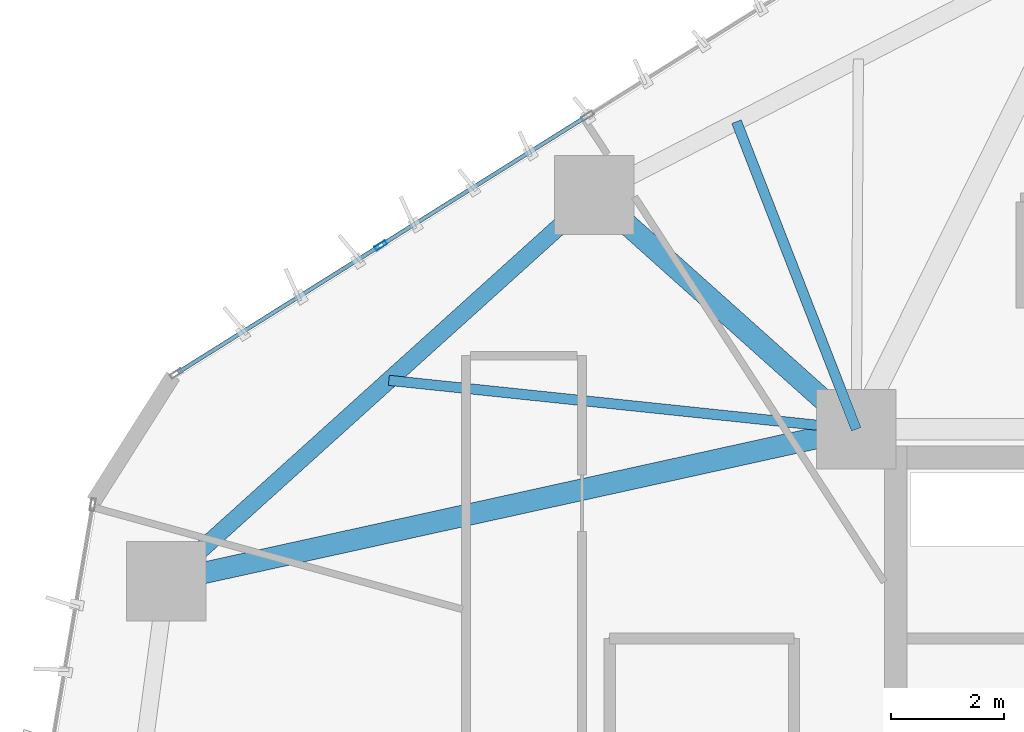
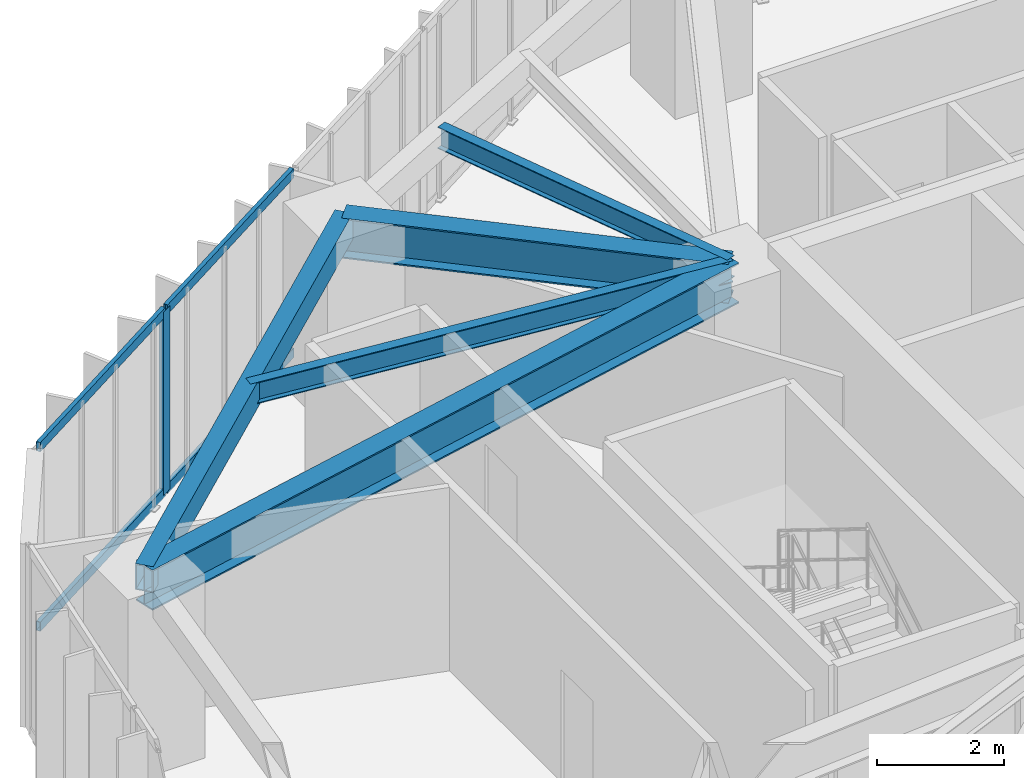
# One storey, part 7 of 22: 5 beams, 5 members, 1 element without a shape of its own.
"""IFC4 building model written with IfcOpenShell, lengths in metres."""

from ifc_helpers import new_model, si_unit, direction, frame, origin, origin_2d, place, context, subcontext, project, spatial, hollow_rectangle, i_section, extrude, source, transform, mapped, material, layer, layer_set, material_profile, profile_set, type_object, type_shapes, element, aggregate, save


model = new_model("IFC4")

# Units and contexts
model_context = context("Model", 3, precision=1e-05, world=origin(), true_north=direction((0.0, 1.0)))
body_context = subcontext(model_context, "Body", "Model", "MODEL_VIEW")
ifc_project = project(units=[si_unit("LENGTHUNIT", "METRE"), si_unit("AREAUNIT", "SQUARE_METRE"), si_unit("VOLUMEUNIT", "CUBIC_METRE"), si_unit("PLANEANGLEUNIT", "RADIAN"), si_unit("MASSUNIT", "GRAM", prefix="KILO")], contexts=[model_context])

# Site, building, storey
site_placement = place(None, origin())
site = spatial("IfcSite", under=ifc_project, at=site_placement, CompositionType="ELEMENT")
building_placement = place(site_placement, origin())
building = spatial("IfcBuilding", under=site, at=building_placement, Name="Talar Marvaseh", CompositionType="ELEMENT")
storey_placement = place(building_placement, frame((0.0, 0.0, 54.39990234375)))
storey = spatial("IfcBuildingStorey", under=building, at=storey_placement, Name="L13", CompositionType="ELEMENT", Elevation=54.39990234375)

# Beams
ifc_material_1 = material(Name="Steel S355", Category="steel")
ifc_material_profile_1 = material_profile(ifc_material_1, hollow_rectangle(XDim=0.300048828125, YDim=0.5, WallThickness=0.02001953125, at=origin_2d()), Name="RHS500x300x20")
ifc_profile_set_1 = profile_set([ifc_material_profile_1], Name="Steel S355")
beam_type_1 = type_object("IfcBeamType", Name="Zone 1 Perimeter Spandrel Beam RHS500x300x20", PredefinedType="SPANDREL", material=ifc_profile_set_1)
beam_1_placement = place(storey_placement, frame((6.501953125, 34.214111328125, 3.27001953125), z_axis=(0.742394279812, 0.669963232799, 0.0), x_axis=(-0.669963232799, 0.742394279812, 0.0)))
element("IfcBeam", 1, at=beam_1_placement, inside=storey, type_object=beam_type_1, Name="L13 Zone 1 Perimeter Spandrel Beam RHS500x300x20", PredefinedType="SPANDREL", context=body_context, shape_type="SweptSolid", body=[
    extrude(hollow_rectangle(XDim=0.300048828125, YDim=0.5, WallThickness=0.02001953125, at=origin_2d()), origin(), (0.0, 0.0, 1.0), 10.19287109375),
])
ifc_material_profile_2 = material_profile(ifc_material_1, i_section(OverallWidth=0.381103515625, OverallDepth=0.77294921875, WebThickness=0.0166015625, FlangeThickness=0.027099609375, at=origin_2d()), Name="W760x257")
ifc_profile_set_2 = profile_set([ifc_material_profile_2], Name="Steel S355")
beam_type_2 = type_object("IfcBeamType", Name="Zone 1 Radial Floor Girder W760x257", PredefinedType="BEAM", material=ifc_profile_set_2)
beam_2_placement = place(storey_placement, frame((6.501953125, 34.214111328125, 3.133544921875), z_axis=(0.976606962034, 0.215032187606, 0.0), x_axis=(-0.215032187606, 0.976606962034, 0.0)))
element("IfcBeam", 2, at=beam_2_placement, inside=storey, type_object=beam_type_2, Name="L13 Zone 1 Radial Floor Girder W760x257", PredefinedType="BEAM", context=body_context, shape_type="SweptSolid", body=[
    extrude(i_section(OverallWidth=0.381103515625, OverallDepth=0.77294921875, WebThickness=0.0166015625, FlangeThickness=0.027099609375, at=origin_2d()), origin(), (0.0, 0.0, 1.0), 12.490234375),
])
beam_3_placement = place(storey_placement, frame((14.069091796875, 41.04296875, 3.133544921875), z_axis=(0.745268030676, -0.666764997921, 0.0), x_axis=(0.666764997921, 0.745268030676, 0.0)))
element("IfcBeam", 3, at=beam_3_placement, inside=storey, type_object=beam_type_2, Name="L13 Zone 1 Radial Floor Girder W760x257", PredefinedType="BEAM", context=body_context, shape_type="SweptSolid", body=[
    extrude(i_section(OverallWidth=0.381103515625, OverallDepth=0.77294921875, WebThickness=0.0166015625, FlangeThickness=0.027099609375, at=origin_2d()), origin(), (0.0, 0.0, 1.0), 6.213623046875),
])
ifc_material_profile_3 = material_profile(ifc_material_1, i_section(OverallWidth=0.179931640625, OverallDepth=0.4130859375, WebThickness=0.009765625, FlangeThickness=0.01611328125, at=origin_2d()), Name="W410x75")
ifc_profile_set_3 = profile_set([ifc_material_profile_3], Name="Steel S355")
beam_type_3 = type_object("IfcBeamType", Name="Zone 1 Secondary Floor Joist W410x75", PredefinedType="JOIST", material=ifc_profile_set_3)
beam_4_placement = place(storey_placement, frame((10.436767578125, 37.76513671875, 3.3134765625), z_axis=(0.994562624593, -0.104140221638, 0.0), x_axis=(0.104140221638, 0.994562624593, 0.0)))
element("IfcBeam", 4, at=beam_4_placement, inside=storey, type_object=beam_type_3, Name="L13 Zone 1 Secondary Floor Joist W410x75", PredefinedType="JOIST", context=body_context, shape_type="SweptSolid", body=[
    extrude(i_section(OverallWidth=0.179931640625, OverallDepth=0.4130859375, WebThickness=0.009765625, FlangeThickness=0.01611328125, at=origin_2d()), origin(), (0.0, 0.0, 1.0), 8.308349609375),
])
beam_5_placement = place(storey_placement, frame((16.582763671875, 42.337646484375, 3.3134765625), z_axis=(0.362819746189, -0.931859341197, 0.0), x_axis=(0.931859341197, 0.362819746189, 0.0)))
element("IfcBeam", 5, at=beam_5_placement, inside=storey, type_object=beam_type_3, Name="L13 Zone 1 Secondary Floor Joist W410x75", PredefinedType="JOIST", context=body_context, shape_type="SweptSolid", body=[
    extrude(i_section(OverallWidth=0.179931640625, OverallDepth=0.4130859375, WebThickness=0.009765625, FlangeThickness=0.01611328125, at=origin_2d()), origin(), (0.0, 0.0, 1.0), 5.83544921875),
])

# Curtain wall, members
ifc_material_2 = material(Name="Architectural Aluminium", Category="aluminium")
ifc_layer = layer(ifc_material_2, 0.219970703125)
ifc_layer_set = layer_set([ifc_layer], Name="Architectural Aluminium")
curtain_wall_type = type_object("IfcCurtainWallType", Name="Unitised Low-E Museum Curtain Wall Z1", PredefinedType="NOTDEFINED", material=ifc_layer_set)
curtain_wall_placement = place(storey_placement, origin())
curtain_wall = element("IfcCurtainWall", 6, at=curtain_wall_placement, inside=storey, type_object=curtain_wall_type, Name="L13 Unitised Low-E Museum Curtain Wall Z1", PredefinedType="NOTDEFINED")
ifc_material_profile_4 = material_profile(ifc_material_2, hollow_rectangle(XDim=0.080078125, YDim=0.219970703125, WallThickness=0.0048828125, at=origin_2d()), Name="RHS220x80x5")
ifc_profile_set_4 = profile_set([ifc_material_profile_4], Name="Architectural Aluminium")
member_type_1 = type_object("IfcMemberType", Name="Unitised Curtain Wall Heavy Mullion RHS220x80x5", PredefinedType="MULLION", material=ifc_profile_set_4)
shared_shape_1 = source(origin(), body_context, "Body", "SweptSolid", [
    extrude(hollow_rectangle(XDim=0.080078125, YDim=0.219970703125, WallThickness=0.0048828125, at=origin_2d()), origin(), (0.0, 0.0, 1.0), 3.52001953125),
])
type_shapes(member_type_1, [shared_shape_1])
member_1_placement = place(storey_placement, frame((10.296142578125, 40.15087890625, 0.0), z_axis=(0.0, 0.0, 1.0), x_axis=(-0.530926810321, 0.847417678646, 0.0)))
member_1 = element("IfcMember", 7, at=member_1_placement, type_object=member_type_1, Name="CW-Z1 mullion 2", PredefinedType="MULLION", context=body_context, shape_type="MappedRepresentation", body=[
    mapped(shared_shape_1, transform((0.0, 0.0, 0.0), x_axis=(1.0, 0.0, 0.0), y_axis=(0.0, 1.0, 0.0), z_axis=(0.0, 0.0, 1.0), scale=1.0)),
])
ifc_material_profile_5 = material_profile(ifc_material_2, hollow_rectangle(XDim=0.074951171875, YDim=0.179931640625, WallThickness=0.0048828125, at=origin_2d()), Name="RHS180x75x5")
ifc_profile_set_5 = profile_set([ifc_material_profile_5], Name="Architectural Aluminium")
member_type_2 = type_object("IfcMemberType", Name="Unitised Curtain Wall Transom RHS180x75x5", PredefinedType="USERDEFINED", material=ifc_profile_set_5)
shared_shape_2 = source(origin(), body_context, "Body", "SweptSolid", [
    extrude(hollow_rectangle(XDim=0.074951171875, YDim=0.179931640625, WallThickness=0.0048828125, at=origin_2d()), origin(), (0.0, 0.0, 1.0), 4.19189453125),
])
member_2_placement = place(storey_placement, frame((6.7099609375, 37.904052734375, 0.03759765625), z_axis=(0.847415375925, 0.5309304857, 0.0), x_axis=(-0.5309304857, 0.847415375925, 0.0)))
member_2 = element("IfcMember", 8, at=member_2_placement, type_object=member_type_2, Name="CW-Z1 transom 1.1", ObjectType="TRANSOM", PredefinedType="USERDEFINED", context=body_context, shape_type="MappedRepresentation", body=[
    mapped(shared_shape_2, transform((0.0, 0.0, 0.0), x_axis=(1.0, 0.0, 0.0), y_axis=(0.0, 1.0, 0.0), z_axis=(0.0, 0.0, 1.0), scale=1.0)),
])
member_3_placement = place(storey_placement, frame((6.7099609375, 37.904052734375, 3.482666015625), z_axis=(0.847415375925, 0.5309304857, 0.0), x_axis=(-0.5309304857, 0.847415375925, 0.0)))
member_3 = element("IfcMember", 9, at=member_3_placement, type_object=member_type_2, Name="CW-Z1 transom 1.2", ObjectType="TRANSOM", PredefinedType="USERDEFINED", context=body_context, shape_type="MappedRepresentation", body=[
    mapped(shared_shape_2, transform((0.0, 0.0, 0.0), x_axis=(1.0, 0.0, 0.0), y_axis=(0.0, 1.0, 0.0), z_axis=(0.0, 0.0, 1.0), scale=1.0)),
])
shared_shape_3 = source(origin(), body_context, "Body", "SweptSolid", [
    extrude(hollow_rectangle(XDim=0.074951171875, YDim=0.179931640625, WallThickness=0.0048828125, at=origin_2d()), origin(), (0.0, 0.0, 1.0), 4.23193359375),
])
type_shapes(member_type_2, [shared_shape_2, shared_shape_3])
member_4_placement = place(storey_placement, frame((10.330078125, 40.172119140625, 0.03759765625), z_axis=(0.847417648636, 0.53092685822, 0.0), x_axis=(-0.53092685822, 0.847417648636, 0.0)))
member_4 = element("IfcMember", 10, at=member_4_placement, type_object=member_type_2, Name="CW-Z1 transom 2.1", ObjectType="TRANSOM", PredefinedType="USERDEFINED", context=body_context, shape_type="MappedRepresentation", body=[
    mapped(shared_shape_3, transform((0.0, 0.0, 0.0), x_axis=(1.0, 0.0, 0.0), y_axis=(0.0, 1.0, 0.0), z_axis=(0.0, 0.0, 1.0), scale=1.0)),
])
member_5_placement = place(storey_placement, frame((10.330078125, 40.172119140625, 3.482666015625), z_axis=(0.847417648636, 0.53092685822, 0.0), x_axis=(-0.53092685822, 0.847417648636, 0.0)))
member_5 = element("IfcMember", 11, at=member_5_placement, type_object=member_type_2, Name="CW-Z1 transom 2.2", ObjectType="TRANSOM", PredefinedType="USERDEFINED", context=body_context, shape_type="MappedRepresentation", body=[
    mapped(shared_shape_3, transform((0.0, 0.0, 0.0), x_axis=(1.0, 0.0, 0.0), y_axis=(0.0, 1.0, 0.0), z_axis=(0.0, 0.0, 1.0), scale=1.0)),
])
aggregate(curtain_wall, [member_1, member_2, member_3, member_4, member_5])

save(model, "model.ifc")
